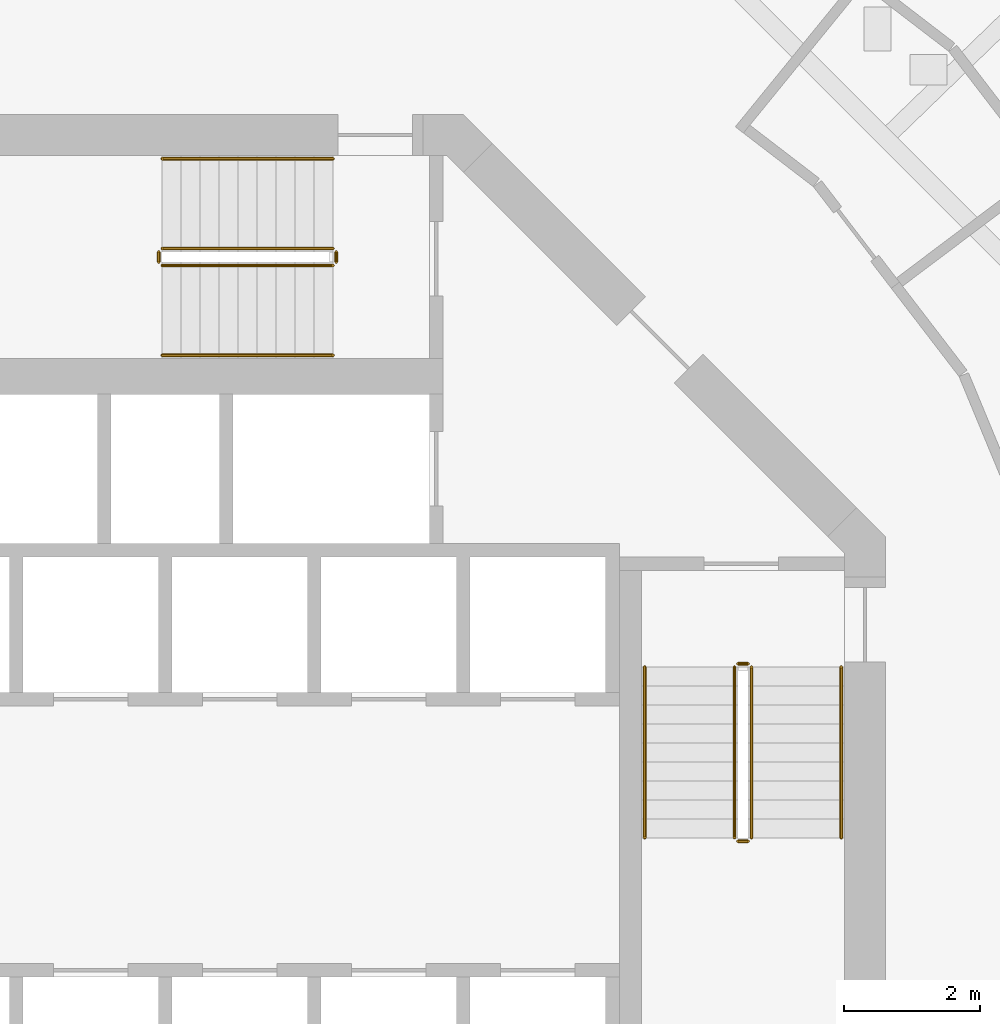
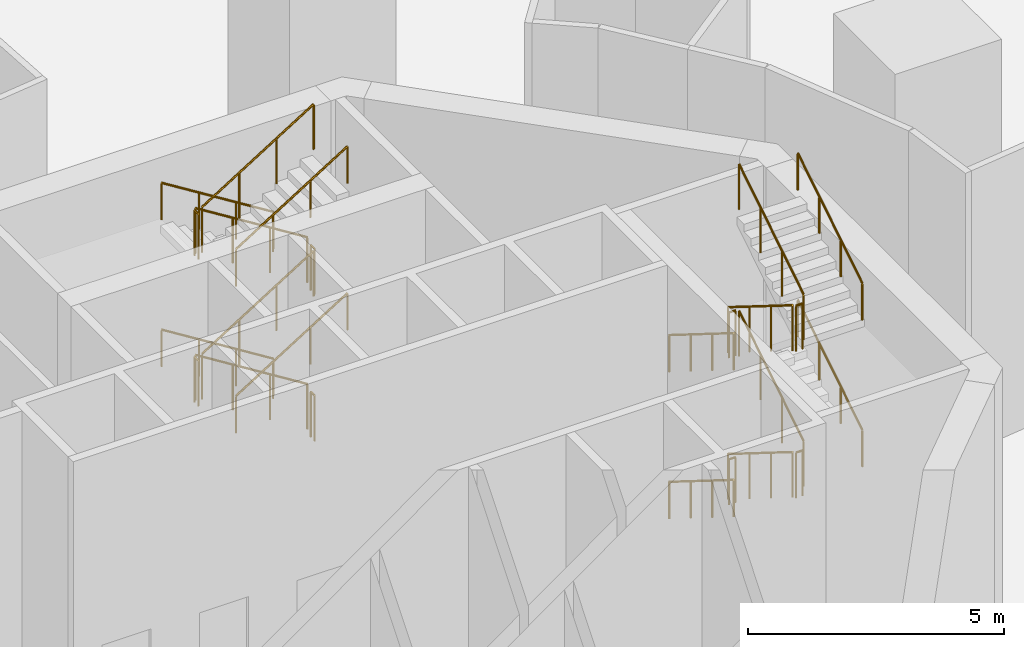
# One storey, part 66 of 67: 24 railings.
"""IFC4 building model written with IfcOpenShell, lengths in metres."""

from ifc_helpers import new_model, si_unit, direction, frame, origin, origin_2d, place, context, subcontext, project, spatial, circle, extrude, material, type_object, element, save


model = new_model("IFC4")

# Units and contexts
model_context = context("Model", 3, precision=1e-05, world=origin(), true_north=direction((0.0, 1.0)))
body_context = subcontext(model_context, "Body", "Model", "MODEL_VIEW")
ifc_project = project(units=[si_unit("LENGTHUNIT", "METRE"), si_unit("AREAUNIT", "SQUARE_METRE"), si_unit("VOLUMEUNIT", "CUBIC_METRE"), si_unit("PLANEANGLEUNIT", "RADIAN"), si_unit("MASSUNIT", "GRAM", prefix="KILO")], contexts=[model_context])

# Site, building, storey
site_placement = place(None, origin())
site = spatial("IfcSite", under=ifc_project, at=site_placement, CompositionType="ELEMENT")
building_placement = place(site_placement, origin())
building = spatial("IfcBuilding", under=site, at=building_placement, Name="Nagisa Residences", CompositionType="ELEMENT")
storey_placement = place(building_placement, origin())
storey = spatial("IfcBuildingStorey", under=building, at=storey_placement, Name="L00", CompositionType="ELEMENT", Elevation=0.0)

# Railings
ifc_material_1 = material(Name="Stainless steel", Category="steel")
railing_type_1 = type_object("IfcRailingType", Name="Stair guard 1100", PredefinedType="GUARDRAIL", material=ifc_material_1)
railing_1_placement = place(storey_placement, frame((8.399658203125, 2.47509765625, 0.175048828125)))
element("IfcRailing", 1, at=railing_1_placement, inside=storey, type_object=railing_type_1, Name="L00 ST-E stair guard 1", PredefinedType="GUARDRAIL", context=body_context, shape_type="SweptSolid", body=[
    extrude(circle(Radius=0.02392578125, at=origin_2d()), frame((0.0, 0.0, 1.076171875), z_axis=(0.0, -0.848007534815, 0.529984170421), x_axis=(1.0, 0.0, 0.0)), (0.0, 0.0, 1.0), 2.9716796875),
    extrude(circle(Radius=0.02099609375, at=origin_2d()), origin(), (0.0, 0.0, 1.0), 1.052001953125),
    extrude(circle(Radius=0.02099609375, at=origin_2d()), frame((0.0, -0.840087890625, 0.52490234375)), (0.0, 0.0, 1.0), 1.052001953125),
    extrude(circle(Radius=0.02099609375, at=origin_2d()), frame((0.0, -1.679931640625, 1.050048828125)), (0.0, 0.0, 1.0), 1.052001953125),
    extrude(circle(Radius=0.02099609375, at=origin_2d()), frame((0.0, -2.52001953125, 1.574951171875)), (0.0, 0.0, 1.0), 1.052001953125),
])
railing_2_placement = place(storey_placement, frame((8.44970703125, -0.094970703125, 1.75)))
element("IfcRailing", 2, at=railing_2_placement, inside=storey, type_object=railing_type_1, Name="L00 ST-E stair guard 2", PredefinedType="GUARDRAIL", context=body_context, shape_type="SweptSolid", body=[
    extrude(circle(Radius=0.02392578125, at=origin_2d()), frame((0.0, 0.0, 1.076171875), z_axis=(1.0, 0.0, 0.0), x_axis=(0.0, 1.0, 0.0)), (0.0, 0.0, 1.0), 0.14990234375),
    extrude(circle(Radius=0.02099609375, at=origin_2d()), origin(), (0.0, 0.0, 1.0), 1.052001953125),
    extrude(circle(Radius=0.02099609375, at=origin_2d()), frame((0.14990234375, 0.0, 0.0)), (0.0, 0.0, 1.0), 1.052001953125),
])
railing_3_placement = place(storey_placement, frame((8.649658203125, -0.044921875, 1.925048828125)))
element("IfcRailing", 3, at=railing_3_placement, inside=storey, type_object=railing_type_1, Name="L00 ST-E stair guard 3", PredefinedType="GUARDRAIL", context=body_context, shape_type="SweptSolid", body=[
    extrude(circle(Radius=0.02392578125, at=origin_2d()), frame((0.0, 0.0, 1.076171875), z_axis=(0.0, 0.848007534815, 0.529984170421), x_axis=(-1.0, 0.0, 0.0)), (0.0, 0.0, 1.0), 2.9716796875),
    extrude(circle(Radius=0.02099609375, at=origin_2d()), origin(), (0.0, 0.0, 1.0), 1.052001953125),
    extrude(circle(Radius=0.02099609375, at=origin_2d()), frame((0.0, 0.840087890625, 0.52490234375)), (0.0, 0.0, 1.0), 1.052001953125),
    extrude(circle(Radius=0.02099609375, at=origin_2d()), frame((0.0, 1.679931640625, 1.050048828125)), (0.0, 0.0, 1.0), 1.052001953125),
    extrude(circle(Radius=0.02099609375, at=origin_2d()), frame((0.0, 2.52001953125, 1.574951171875)), (0.0, 0.0, 1.0), 1.052001953125),
])
railing_4_placement = place(storey_placement, frame((8.44970703125, 2.52490234375, 3.5)))
element("IfcRailing", 4, at=railing_4_placement, inside=storey, type_object=railing_type_1, Name="L00 ST-E stair guard 4", PredefinedType="GUARDRAIL", context=body_context, shape_type="SweptSolid", body=[
    extrude(circle(Radius=0.02392578125, at=origin_2d()), frame((0.0, 0.0, 1.076171875), z_axis=(1.0, 0.0, 0.0), x_axis=(0.0, 1.0, 0.0)), (0.0, 0.0, 1.0), 0.14990234375),
    extrude(circle(Radius=0.02099609375, at=origin_2d()), origin(), (0.0, 0.0, 1.0), 1.052001953125),
    extrude(circle(Radius=0.02099609375, at=origin_2d()), frame((0.14990234375, 0.0, 0.0)), (0.0, 0.0, 1.0), 1.052001953125),
])
railing_5_placement = place(storey_placement, frame((8.399658203125, 2.47509765625, 3.675048828125)))
element("IfcRailing", 5, at=railing_5_placement, inside=storey, type_object=railing_type_1, Name="L00 ST-E stair guard 5", PredefinedType="GUARDRAIL", context=body_context, shape_type="SweptSolid", body=[
    extrude(circle(Radius=0.02392578125, at=origin_2d()), frame((0.0, 0.0, 1.076171875), z_axis=(0.0, -0.848007534815, 0.529984170421), x_axis=(1.0, 0.0, 0.0)), (0.0, 0.0, 1.0), 2.9716796875),
    extrude(circle(Radius=0.02099609375, at=origin_2d()), origin(), (0.0, 0.0, 1.0), 1.052001953125),
    extrude(circle(Radius=0.02099609375, at=origin_2d()), frame((0.0, -0.840087890625, 0.52490234375)), (0.0, 0.0, 1.0), 1.052001953125),
    extrude(circle(Radius=0.02099609375, at=origin_2d()), frame((0.0, -1.679931640625, 1.050048828125)), (0.0, 0.0, 1.0), 1.052001953125),
    extrude(circle(Radius=0.02099609375, at=origin_2d()), frame((0.0, -2.52001953125, 1.574951171875)), (0.0, 0.0, 1.0), 1.052001953125),
])
railing_6_placement = place(storey_placement, frame((8.44970703125, -0.094970703125, 5.25)))
element("IfcRailing", 6, at=railing_6_placement, inside=storey, type_object=railing_type_1, Name="L00 ST-E stair guard 6", PredefinedType="GUARDRAIL", context=body_context, shape_type="SweptSolid", body=[
    extrude(circle(Radius=0.02392578125, at=origin_2d()), frame((0.0, 0.0, 1.076171875), z_axis=(1.0, 0.0, 0.0), x_axis=(0.0, 1.0, 0.0)), (0.0, 0.0, 1.0), 0.14990234375),
    extrude(circle(Radius=0.02099609375, at=origin_2d()), origin(), (0.0, 0.0, 1.0), 1.052001953125),
    extrude(circle(Radius=0.02099609375, at=origin_2d()), frame((0.14990234375, 0.0, 0.0)), (0.0, 0.0, 1.0), 1.052001953125),
])
railing_7_placement = place(storey_placement, frame((8.649658203125, -0.044921875, 5.425048828125)))
element("IfcRailing", 7, at=railing_7_placement, inside=storey, type_object=railing_type_1, Name="L00 ST-E stair guard 7", PredefinedType="GUARDRAIL", context=body_context, shape_type="SweptSolid", body=[
    extrude(circle(Radius=0.02392578125, at=origin_2d()), frame((0.0, 0.0, 1.076171875), z_axis=(0.0, 0.848007534815, 0.529984170421), x_axis=(-1.0, 0.0, 0.0)), (0.0, 0.0, 1.0), 2.9716796875),
    extrude(circle(Radius=0.02099609375, at=origin_2d()), origin(), (0.0, 0.0, 1.0), 1.052001953125),
    extrude(circle(Radius=0.02099609375, at=origin_2d()), frame((0.0, 0.840087890625, 0.52490234375)), (0.0, 0.0, 1.0), 1.052001953125),
    extrude(circle(Radius=0.02099609375, at=origin_2d()), frame((0.0, 1.679931640625, 1.050048828125)), (0.0, 0.0, 1.0), 1.052001953125),
    extrude(circle(Radius=0.02099609375, at=origin_2d()), frame((0.0, 2.52001953125, 1.574951171875)), (0.0, 0.0, 1.0), 1.052001953125),
])
railing_8_placement = place(storey_placement, frame((8.44970703125, 2.52490234375, 0.0)))
element("IfcRailing", 8, at=railing_8_placement, inside=storey, type_object=railing_type_1, Name="L00 ST-E stair guard 8", PredefinedType="GUARDRAIL", context=body_context, shape_type="SweptSolid", body=[
    extrude(circle(Radius=0.02392578125, at=origin_2d()), frame((0.0, 0.0, 1.076171875), z_axis=(1.0, 0.0, 0.0), x_axis=(0.0, 1.0, 0.0)), (0.0, 0.0, 1.0), 0.14990234375),
    extrude(circle(Radius=0.02099609375, at=origin_2d()), origin(), (0.0, 0.0, 1.0), 1.052001953125),
    extrude(circle(Radius=0.02099609375, at=origin_2d()), frame((0.14990234375, 0.0, 0.0)), (0.0, 0.0, 1.0), 1.052001953125),
])
railing_9_placement = place(storey_placement, frame((2.47509765625, 8.649658203125, 0.175048828125)))
element("IfcRailing", 9, at=railing_9_placement, inside=storey, type_object=railing_type_1, Name="L00 ST-N stair guard 1", PredefinedType="GUARDRAIL", context=body_context, shape_type="SweptSolid", body=[
    extrude(circle(Radius=0.02392578125, at=origin_2d()), frame((0.0, 0.0, 1.076171875), z_axis=(-0.848007534815, 0.0, 0.529984170421), x_axis=(0.0, -1.0, 0.0)), (0.0, 0.0, 1.0), 2.9716796875),
    extrude(circle(Radius=0.02099609375, at=origin_2d()), origin(), (0.0, 0.0, 1.0), 1.052001953125),
    extrude(circle(Radius=0.02099609375, at=origin_2d()), frame((-0.840087890625, 0.0, 0.52490234375)), (0.0, 0.0, 1.0), 1.052001953125),
    extrude(circle(Radius=0.02099609375, at=origin_2d()), frame((-1.679931640625, 0.0, 1.050048828125)), (0.0, 0.0, 1.0), 1.052001953125),
    extrude(circle(Radius=0.02099609375, at=origin_2d()), frame((-2.52001953125, 0.0, 1.574951171875)), (0.0, 0.0, 1.0), 1.052001953125),
])
railing_10_placement = place(storey_placement, frame((-0.094970703125, 8.599609375, 1.75)))
element("IfcRailing", 10, at=railing_10_placement, inside=storey, type_object=railing_type_1, Name="L00 ST-N stair guard 2", PredefinedType="GUARDRAIL", context=body_context, shape_type="SweptSolid", body=[
    extrude(circle(Radius=0.02392578125, at=origin_2d()), frame((0.0, 0.0, 1.076171875), z_axis=(0.0, -1.0, 0.0), x_axis=(1.0, 0.0, 0.0)), (0.0, 0.0, 1.0), 0.14990234375),
    extrude(circle(Radius=0.02099609375, at=origin_2d()), origin(), (0.0, 0.0, 1.0), 1.052001953125),
    extrude(circle(Radius=0.02099609375, at=origin_2d()), frame((0.0, -0.14990234375, 0.0)), (0.0, 0.0, 1.0), 1.052001953125),
])
railing_11_placement = place(storey_placement, frame((-0.044921875, 8.399658203125, 1.925048828125)))
element("IfcRailing", 11, at=railing_11_placement, inside=storey, type_object=railing_type_1, Name="L00 ST-N stair guard 3", PredefinedType="GUARDRAIL", context=body_context, shape_type="SweptSolid", body=[
    extrude(circle(Radius=0.02392578125, at=origin_2d()), frame((0.0, 0.0, 1.076171875), z_axis=(0.848007534815, 0.0, 0.529984170421), x_axis=(0.0, 1.0, 0.0)), (0.0, 0.0, 1.0), 2.9716796875),
    extrude(circle(Radius=0.02099609375, at=origin_2d()), origin(), (0.0, 0.0, 1.0), 1.052001953125),
    extrude(circle(Radius=0.02099609375, at=origin_2d()), frame((0.840087890625, 0.0, 0.52490234375)), (0.0, 0.0, 1.0), 1.052001953125),
    extrude(circle(Radius=0.02099609375, at=origin_2d()), frame((1.679931640625, 0.0, 1.050048828125)), (0.0, 0.0, 1.0), 1.052001953125),
    extrude(circle(Radius=0.02099609375, at=origin_2d()), frame((2.52001953125, 0.0, 1.574951171875)), (0.0, 0.0, 1.0), 1.052001953125),
])
railing_12_placement = place(storey_placement, frame((2.52490234375, 8.599609375, 3.5)))
element("IfcRailing", 12, at=railing_12_placement, inside=storey, type_object=railing_type_1, Name="L00 ST-N stair guard 4", PredefinedType="GUARDRAIL", context=body_context, shape_type="SweptSolid", body=[
    extrude(circle(Radius=0.02392578125, at=origin_2d()), frame((0.0, 0.0, 1.076171875), z_axis=(0.0, -1.0, 0.0), x_axis=(1.0, 0.0, 0.0)), (0.0, 0.0, 1.0), 0.14990234375),
    extrude(circle(Radius=0.02099609375, at=origin_2d()), origin(), (0.0, 0.0, 1.0), 1.052001953125),
    extrude(circle(Radius=0.02099609375, at=origin_2d()), frame((0.0, -0.14990234375, 0.0)), (0.0, 0.0, 1.0), 1.052001953125),
])
railing_13_placement = place(storey_placement, frame((2.47509765625, 8.649658203125, 3.675048828125)))
element("IfcRailing", 13, at=railing_13_placement, inside=storey, type_object=railing_type_1, Name="L00 ST-N stair guard 5", PredefinedType="GUARDRAIL", context=body_context, shape_type="SweptSolid", body=[
    extrude(circle(Radius=0.02392578125, at=origin_2d()), frame((0.0, 0.0, 1.076171875), z_axis=(-0.848007534815, 0.0, 0.529984170421), x_axis=(0.0, -1.0, 0.0)), (0.0, 0.0, 1.0), 2.9716796875),
    extrude(circle(Radius=0.02099609375, at=origin_2d()), origin(), (0.0, 0.0, 1.0), 1.052001953125),
    extrude(circle(Radius=0.02099609375, at=origin_2d()), frame((-0.840087890625, 0.0, 0.52490234375)), (0.0, 0.0, 1.0), 1.052001953125),
    extrude(circle(Radius=0.02099609375, at=origin_2d()), frame((-1.679931640625, 0.0, 1.050048828125)), (0.0, 0.0, 1.0), 1.052001953125),
    extrude(circle(Radius=0.02099609375, at=origin_2d()), frame((-2.52001953125, 0.0, 1.574951171875)), (0.0, 0.0, 1.0), 1.052001953125),
])
railing_14_placement = place(storey_placement, frame((-0.094970703125, 8.599609375, 5.25)))
element("IfcRailing", 14, at=railing_14_placement, inside=storey, type_object=railing_type_1, Name="L00 ST-N stair guard 6", PredefinedType="GUARDRAIL", context=body_context, shape_type="SweptSolid", body=[
    extrude(circle(Radius=0.02392578125, at=origin_2d()), frame((0.0, 0.0, 1.076171875), z_axis=(0.0, -1.0, 0.0), x_axis=(1.0, 0.0, 0.0)), (0.0, 0.0, 1.0), 0.14990234375),
    extrude(circle(Radius=0.02099609375, at=origin_2d()), origin(), (0.0, 0.0, 1.0), 1.052001953125),
    extrude(circle(Radius=0.02099609375, at=origin_2d()), frame((0.0, -0.14990234375, 0.0)), (0.0, 0.0, 1.0), 1.052001953125),
])
railing_15_placement = place(storey_placement, frame((-0.044921875, 8.399658203125, 5.425048828125)))
element("IfcRailing", 15, at=railing_15_placement, inside=storey, type_object=railing_type_1, Name="L00 ST-N stair guard 7", PredefinedType="GUARDRAIL", context=body_context, shape_type="SweptSolid", body=[
    extrude(circle(Radius=0.02392578125, at=origin_2d()), frame((0.0, 0.0, 1.076171875), z_axis=(0.848007534815, 0.0, 0.529984170421), x_axis=(0.0, 1.0, 0.0)), (0.0, 0.0, 1.0), 2.9716796875),
    extrude(circle(Radius=0.02099609375, at=origin_2d()), origin(), (0.0, 0.0, 1.0), 1.052001953125),
    extrude(circle(Radius=0.02099609375, at=origin_2d()), frame((0.840087890625, 0.0, 0.52490234375)), (0.0, 0.0, 1.0), 1.052001953125),
    extrude(circle(Radius=0.02099609375, at=origin_2d()), frame((1.679931640625, 0.0, 1.050048828125)), (0.0, 0.0, 1.0), 1.052001953125),
    extrude(circle(Radius=0.02099609375, at=origin_2d()), frame((2.52001953125, 0.0, 1.574951171875)), (0.0, 0.0, 1.0), 1.052001953125),
])
railing_16_placement = place(storey_placement, frame((2.52490234375, 8.599609375, 0.0)))
element("IfcRailing", 16, at=railing_16_placement, inside=storey, type_object=railing_type_1, Name="L00 ST-N stair guard 8", PredefinedType="GUARDRAIL", context=body_context, shape_type="SweptSolid", body=[
    extrude(circle(Radius=0.02392578125, at=origin_2d()), frame((0.0, 0.0, 1.076171875), z_axis=(0.0, -1.0, 0.0), x_axis=(1.0, 0.0, 0.0)), (0.0, 0.0, 1.0), 0.14990234375),
    extrude(circle(Radius=0.02099609375, at=origin_2d()), origin(), (0.0, 0.0, 1.0), 1.052001953125),
    extrude(circle(Radius=0.02099609375, at=origin_2d()), frame((0.0, -0.14990234375, 0.0)), (0.0, 0.0, 1.0), 1.052001953125),
])
ifc_material_2 = material(Name="Stainless steel", Category="steel")
railing_type_2 = type_object("IfcRailingType", Name="Stair handrail 900", PredefinedType="HANDRAIL", material=ifc_material_2)
railing_17_placement = place(storey_placement, frame((7.07470703125, 2.47509765625, 0.175048828125)))
element("IfcRailing", 17, at=railing_17_placement, inside=storey, type_object=railing_type_2, Name="L00 ST-E stair handrail 1", PredefinedType="HANDRAIL", context=body_context, shape_type="SweptSolid", body=[
    extrude(circle(Radius=0.02392578125, at=origin_2d()), frame((0.0, 0.0, 0.8759765625), z_axis=(0.0, -0.848007534815, 0.529984170421), x_axis=(1.0, 0.0, 0.0)), (0.0, 0.0, 1.0), 2.9716796875),
    extrude(circle(Radius=0.02099609375, at=origin_2d()), origin(), (0.0, 0.0, 1.0), 0.851806640625),
    extrude(circle(Radius=0.02099609375, at=origin_2d()), frame((0.0, -0.840087890625, 0.52490234375)), (0.0, 0.0, 1.0), 0.851806640625),
    extrude(circle(Radius=0.02099609375, at=origin_2d()), frame((0.0, -1.679931640625, 1.050048828125)), (0.0, 0.0, 1.0), 0.851806640625),
    extrude(circle(Radius=0.02099609375, at=origin_2d()), frame((0.0, -2.52001953125, 1.574951171875)), (0.0, 0.0, 1.0), 0.851806640625),
])
railing_18_placement = place(storey_placement, frame((9.974609375, -0.044921875, 1.925048828125)))
element("IfcRailing", 18, at=railing_18_placement, inside=storey, type_object=railing_type_2, Name="L00 ST-E stair handrail 2", PredefinedType="HANDRAIL", context=body_context, shape_type="SweptSolid", body=[
    extrude(circle(Radius=0.02392578125, at=origin_2d()), frame((0.0, 0.0, 0.8759765625), z_axis=(0.0, 0.848007534815, 0.529984170421), x_axis=(-1.0, 0.0, 0.0)), (0.0, 0.0, 1.0), 2.9716796875),
    extrude(circle(Radius=0.02099609375, at=origin_2d()), origin(), (0.0, 0.0, 1.0), 0.851806640625),
    extrude(circle(Radius=0.02099609375, at=origin_2d()), frame((0.0, 0.840087890625, 0.52490234375)), (0.0, 0.0, 1.0), 0.851806640625),
    extrude(circle(Radius=0.02099609375, at=origin_2d()), frame((0.0, 1.679931640625, 1.050048828125)), (0.0, 0.0, 1.0), 0.851806640625),
    extrude(circle(Radius=0.02099609375, at=origin_2d()), frame((0.0, 2.52001953125, 1.574951171875)), (0.0, 0.0, 1.0), 0.851806640625),
])
railing_19_placement = place(storey_placement, frame((7.07470703125, 2.47509765625, 3.675048828125)))
element("IfcRailing", 19, at=railing_19_placement, inside=storey, type_object=railing_type_2, Name="L00 ST-E stair handrail 3", PredefinedType="HANDRAIL", context=body_context, shape_type="SweptSolid", body=[
    extrude(circle(Radius=0.02392578125, at=origin_2d()), frame((0.0, 0.0, 0.8759765625), z_axis=(0.0, -0.848007534815, 0.529984170421), x_axis=(1.0, 0.0, 0.0)), (0.0, 0.0, 1.0), 2.9716796875),
    extrude(circle(Radius=0.02099609375, at=origin_2d()), origin(), (0.0, 0.0, 1.0), 0.851806640625),
    extrude(circle(Radius=0.02099609375, at=origin_2d()), frame((0.0, -0.840087890625, 0.52490234375)), (0.0, 0.0, 1.0), 0.851806640625),
    extrude(circle(Radius=0.02099609375, at=origin_2d()), frame((0.0, -1.679931640625, 1.050048828125)), (0.0, 0.0, 1.0), 0.851806640625),
    extrude(circle(Radius=0.02099609375, at=origin_2d()), frame((0.0, -2.52001953125, 1.574951171875)), (0.0, 0.0, 1.0), 0.851806640625),
])
railing_20_placement = place(storey_placement, frame((9.974609375, -0.044921875, 5.425048828125)))
element("IfcRailing", 20, at=railing_20_placement, inside=storey, type_object=railing_type_2, Name="L00 ST-E stair handrail 4", PredefinedType="HANDRAIL", context=body_context, shape_type="SweptSolid", body=[
    extrude(circle(Radius=0.02392578125, at=origin_2d()), frame((0.0, 0.0, 0.8759765625), z_axis=(0.0, 0.848007534815, 0.529984170421), x_axis=(-1.0, 0.0, 0.0)), (0.0, 0.0, 1.0), 2.9716796875),
    extrude(circle(Radius=0.02099609375, at=origin_2d()), origin(), (0.0, 0.0, 1.0), 0.851806640625),
    extrude(circle(Radius=0.02099609375, at=origin_2d()), frame((0.0, 0.840087890625, 0.52490234375)), (0.0, 0.0, 1.0), 0.851806640625),
    extrude(circle(Radius=0.02099609375, at=origin_2d()), frame((0.0, 1.679931640625, 1.050048828125)), (0.0, 0.0, 1.0), 0.851806640625),
    extrude(circle(Radius=0.02099609375, at=origin_2d()), frame((0.0, 2.52001953125, 1.574951171875)), (0.0, 0.0, 1.0), 0.851806640625),
])
railing_21_placement = place(storey_placement, frame((2.47509765625, 9.974609375, 0.175048828125)))
element("IfcRailing", 21, at=railing_21_placement, inside=storey, type_object=railing_type_2, Name="L00 ST-N stair handrail 1", PredefinedType="HANDRAIL", context=body_context, shape_type="SweptSolid", body=[
    extrude(circle(Radius=0.02392578125, at=origin_2d()), frame((0.0, 0.0, 0.8759765625), z_axis=(-0.848007534815, 0.0, 0.529984170421), x_axis=(0.0, -1.0, 0.0)), (0.0, 0.0, 1.0), 2.9716796875),
    extrude(circle(Radius=0.02099609375, at=origin_2d()), origin(), (0.0, 0.0, 1.0), 0.851806640625),
    extrude(circle(Radius=0.02099609375, at=origin_2d()), frame((-0.840087890625, 0.0, 0.52490234375)), (0.0, 0.0, 1.0), 0.851806640625),
    extrude(circle(Radius=0.02099609375, at=origin_2d()), frame((-1.679931640625, 0.0, 1.050048828125)), (0.0, 0.0, 1.0), 0.851806640625),
    extrude(circle(Radius=0.02099609375, at=origin_2d()), frame((-2.52001953125, 0.0, 1.574951171875)), (0.0, 0.0, 1.0), 0.851806640625),
])
railing_22_placement = place(storey_placement, frame((-0.044921875, 7.07470703125, 1.925048828125)))
element("IfcRailing", 22, at=railing_22_placement, inside=storey, type_object=railing_type_2, Name="L00 ST-N stair handrail 2", PredefinedType="HANDRAIL", context=body_context, shape_type="SweptSolid", body=[
    extrude(circle(Radius=0.02392578125, at=origin_2d()), frame((0.0, 0.0, 0.8759765625), z_axis=(0.848007534815, 0.0, 0.529984170421), x_axis=(0.0, 1.0, 0.0)), (0.0, 0.0, 1.0), 2.9716796875),
    extrude(circle(Radius=0.02099609375, at=origin_2d()), origin(), (0.0, 0.0, 1.0), 0.851806640625),
    extrude(circle(Radius=0.02099609375, at=origin_2d()), frame((0.840087890625, 0.0, 0.52490234375)), (0.0, 0.0, 1.0), 0.851806640625),
    extrude(circle(Radius=0.02099609375, at=origin_2d()), frame((1.679931640625, 0.0, 1.050048828125)), (0.0, 0.0, 1.0), 0.851806640625),
    extrude(circle(Radius=0.02099609375, at=origin_2d()), frame((2.52001953125, 0.0, 1.574951171875)), (0.0, 0.0, 1.0), 0.851806640625),
])
railing_23_placement = place(storey_placement, frame((2.47509765625, 9.974609375, 3.675048828125)))
element("IfcRailing", 23, at=railing_23_placement, inside=storey, type_object=railing_type_2, Name="L00 ST-N stair handrail 3", PredefinedType="HANDRAIL", context=body_context, shape_type="SweptSolid", body=[
    extrude(circle(Radius=0.02392578125, at=origin_2d()), frame((0.0, 0.0, 0.8759765625), z_axis=(-0.848007534815, 0.0, 0.529984170421), x_axis=(0.0, -1.0, 0.0)), (0.0, 0.0, 1.0), 2.9716796875),
    extrude(circle(Radius=0.02099609375, at=origin_2d()), origin(), (0.0, 0.0, 1.0), 0.851806640625),
    extrude(circle(Radius=0.02099609375, at=origin_2d()), frame((-0.840087890625, 0.0, 0.52490234375)), (0.0, 0.0, 1.0), 0.851806640625),
    extrude(circle(Radius=0.02099609375, at=origin_2d()), frame((-1.679931640625, 0.0, 1.050048828125)), (0.0, 0.0, 1.0), 0.851806640625),
    extrude(circle(Radius=0.02099609375, at=origin_2d()), frame((-2.52001953125, 0.0, 1.574951171875)), (0.0, 0.0, 1.0), 0.851806640625),
])
railing_24_placement = place(storey_placement, frame((-0.044921875, 7.07470703125, 5.425048828125)))
element("IfcRailing", 24, at=railing_24_placement, inside=storey, type_object=railing_type_2, Name="L00 ST-N stair handrail 4", PredefinedType="HANDRAIL", context=body_context, shape_type="SweptSolid", body=[
    extrude(circle(Radius=0.02392578125, at=origin_2d()), frame((0.0, 0.0, 0.8759765625), z_axis=(0.848007534815, 0.0, 0.529984170421), x_axis=(0.0, 1.0, 0.0)), (0.0, 0.0, 1.0), 2.9716796875),
    extrude(circle(Radius=0.02099609375, at=origin_2d()), origin(), (0.0, 0.0, 1.0), 0.851806640625),
    extrude(circle(Radius=0.02099609375, at=origin_2d()), frame((0.840087890625, 0.0, 0.52490234375)), (0.0, 0.0, 1.0), 0.851806640625),
    extrude(circle(Radius=0.02099609375, at=origin_2d()), frame((1.679931640625, 0.0, 1.050048828125)), (0.0, 0.0, 1.0), 0.851806640625),
    extrude(circle(Radius=0.02099609375, at=origin_2d()), frame((2.52001953125, 0.0, 1.574951171875)), (0.0, 0.0, 1.0), 0.851806640625),
])

save(model, "model.ifc")
